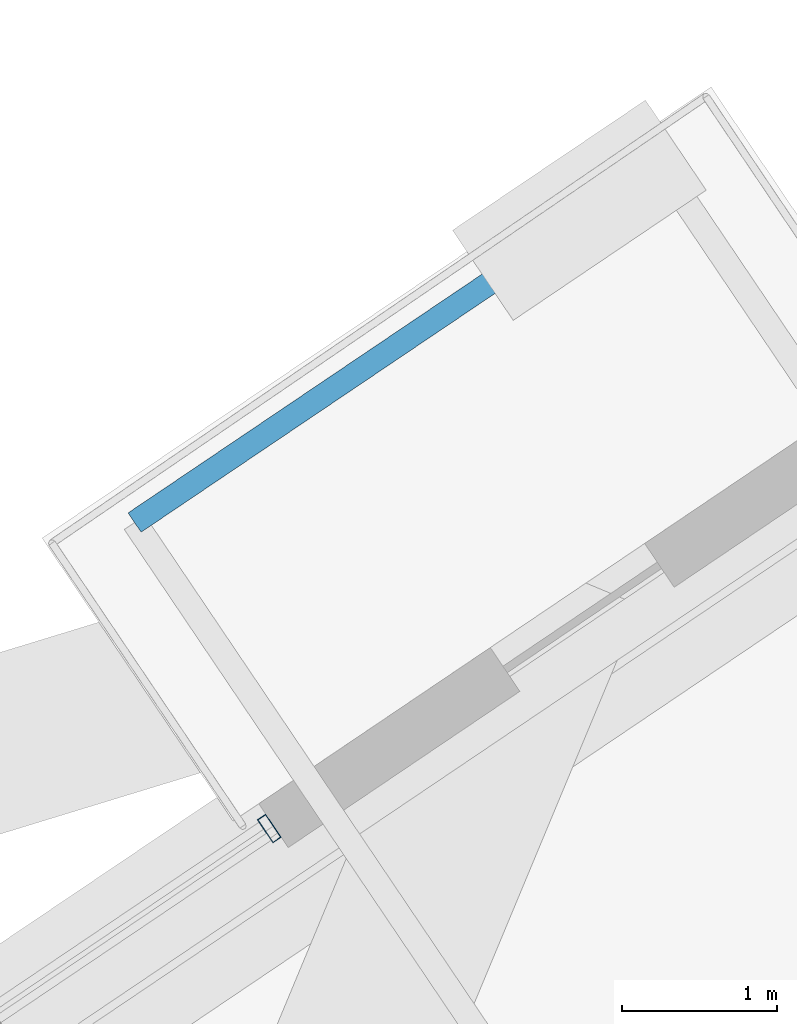
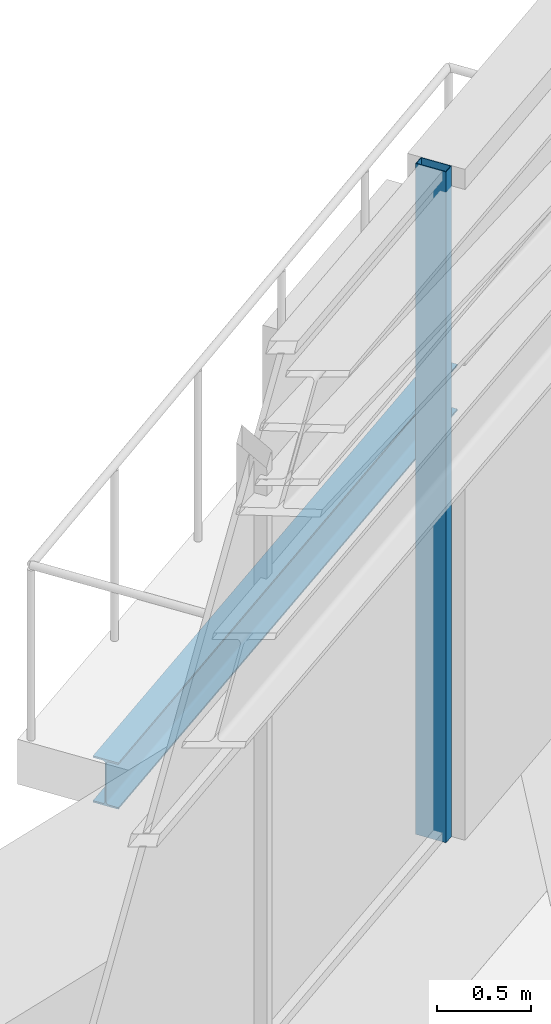
# One storey, part 8 of 21: 1 beam, 1 member, 1 element without a shape of its own.
"""IFC4 building model written with IfcOpenShell, lengths in metres."""

from ifc_helpers import new_model, si_unit, direction, frame, origin, origin_2d, place, context, subcontext, project, spatial, hollow_rectangle, i_section, extrude, source, transform, mapped, material, layer, layer_set, material_profile, profile_set, type_object, element, aggregate, save


model = new_model("IFC4")

# Units and contexts
model_context = context("Model", 3, precision=1e-05, world=origin(), true_north=direction((0.0, 1.0)))
body_context = subcontext(model_context, "Body", "Model", "MODEL_VIEW")
ifc_project = project(units=[si_unit("LENGTHUNIT", "METRE"), si_unit("AREAUNIT", "SQUARE_METRE"), si_unit("VOLUMEUNIT", "CUBIC_METRE"), si_unit("PLANEANGLEUNIT", "RADIAN"), si_unit("MASSUNIT", "GRAM", prefix="KILO"), si_unit("THERMODYNAMICTEMPERATUREUNIT", "KELVIN")], contexts=[model_context])

# Site, building, storey
site_placement = place(None, origin())
site = spatial("IfcSite", under=ifc_project, at=site_placement, CompositionType="ELEMENT")
building_placement = place(site_placement, origin())
building = spatial("IfcBuilding", under=site, at=building_placement, Name="Kosmvard Interchange Tower", CompositionType="ELEMENT")
storey_placement = place(building_placement, frame((0.0, 0.0, 139.199951171875)))
storey = spatial("IfcBuildingStorey", under=building, at=storey_placement, Name="L33", CompositionType="ELEMENT", Elevation=139.199951171875)

# Beam
ifc_material_1 = material(Name="Steel S355", Category="steel")
ifc_material_profile_1 = material_profile(ifc_material_1, i_section(OverallWidth=0.14990234375, OverallDepth=0.300048828125, WebThickness=0.007080078125, FlangeThickness=0.0107421875, FilletRadius=0.014892578125, at=origin_2d()), Name="IPE 300")
ifc_profile_set_1 = profile_set([ifc_material_profile_1], Name="Steel S355")
beam_type = type_object("IfcBeamType", Name="Balcony Edge Header Joist IPE 300 S355", PredefinedType="JOIST", material=ifc_profile_set_1)
shared_shape_1 = source(origin(), body_context, "Body", "SweptSolid", [
    extrude(i_section(OverallWidth=0.14990234375, OverallDepth=0.300048828125, WebThickness=0.007080078125, FlangeThickness=0.0107421875, FilletRadius=0.014892578125, at=origin_2d()), origin(), (0.0, 0.0, 1.0), 4.099853515625),
])
beam_placement = place(storey_placement, frame((-7.183837890625, 28.26513671875, -0.550048828125), z_axis=(-0.829023978396, -0.559213057112, 0.0), x_axis=(0.559213057112, -0.829023978396, 0.0)))
element("IfcBeam", 1, at=beam_placement, inside=storey, type_object=beam_type, Name="BM-L33-BJH1", PredefinedType="JOIST", context=body_context, shape_type="MappedRepresentation", body=[
    mapped(shared_shape_1, transform((0.0, 0.0, 0.0), scale=1.0)),
])

# Curtain wall, member
ifc_material_2 = material(Name="Architectural anodised aluminium", Category="aluminium")
ifc_layer = layer(ifc_material_2, 0.179931640625, Name="Architectural anodised aluminium")
ifc_layer_set = layer_set([ifc_layer], Name="Architectural anodised aluminium")
curtain_wall_type = type_object("IfcCurtainWallType", Name="CW-3 Sky-Garden Vestibule Curtain Wall", PredefinedType="NOTDEFINED", material=ifc_layer_set)
curtain_wall_placement = place(storey_placement, origin())
curtain_wall = element("IfcCurtainWall", 2, at=curtain_wall_placement, inside=storey, type_object=curtain_wall_type, Name="L33 Sky-Garden Curtain Wall N", PredefinedType="NOTDEFINED")
ifc_material_profile_2 = material_profile(ifc_material_2, hollow_rectangle(XDim=0.179931640625, YDim=0.06494140625, WallThickness=0.00390625, at=origin_2d()), Name="CWM 180x65x4")
ifc_profile_set_2 = profile_set([ifc_material_profile_2], Name="Architectural anodised aluminium")
member_type = type_object("IfcMemberType", Name="Sky-Garden CW Mullion 180x65 Aluminium", PredefinedType="MULLION", material=ifc_profile_set_2)
shared_shape_2 = source(origin(), body_context, "Body", "SweptSolid", [
    extrude(hollow_rectangle(XDim=0.179931640625, YDim=0.06494140625, WallThickness=0.00390625, at=origin_2d()), origin(), (0.0, 0.0, 1.0), 4.340087890625),
])
member_placement = place(storey_placement, frame((-9.714599609375, 24.0009765625, 0.0), z_axis=(0.0, 0.0, 1.0), x_axis=(0.559192710637, -0.829037702623, 0.0)))
member = element("IfcMember", 3, at=member_placement, type_object=member_type, Name="CW-3 mullion 1", PredefinedType="MULLION", context=body_context, shape_type="MappedRepresentation", body=[
    mapped(shared_shape_2, transform((0.0, 0.0, 0.0), scale=1.0)),
])
aggregate(curtain_wall, [member])

save(model, "model.ifc")
